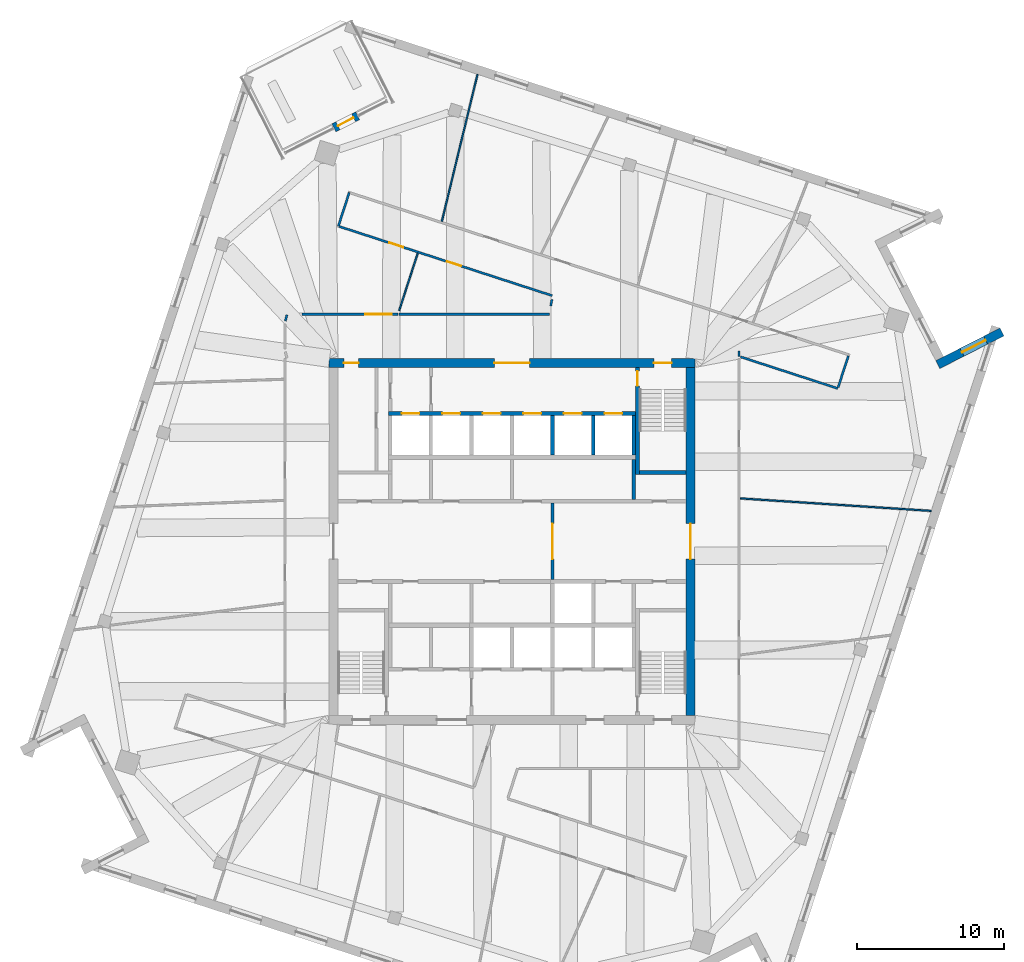
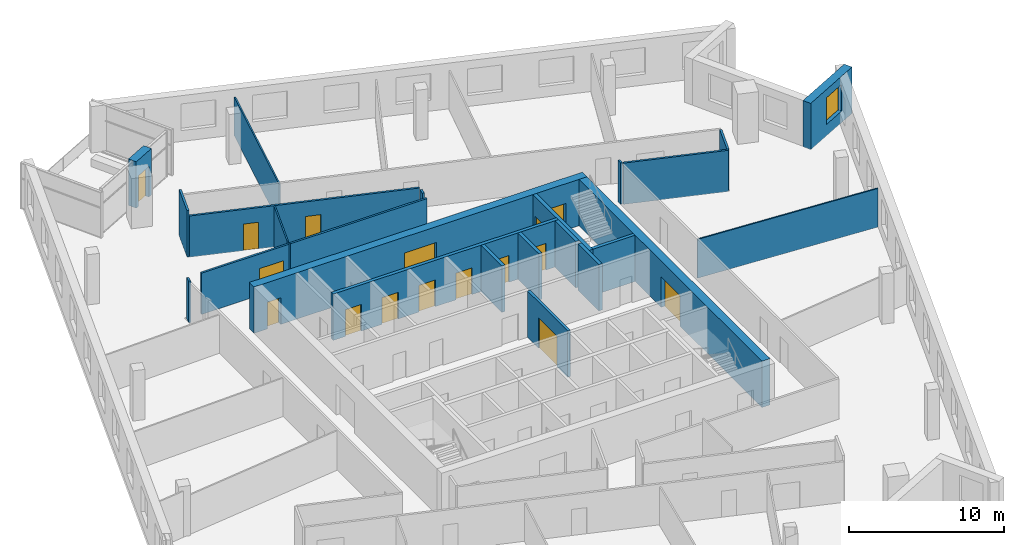
# One storey, part 10 of 13: 24 walls, 16 doors, 1 window, 17 openings.
"""IFC4 building model written with IfcOpenShell, lengths in metres."""

from ifc_helpers import new_model, si_unit, direction, frame, frame_2d, origin, place, context, subcontext, project, spatial, rectangle, extrude, material, layer, layer_set, type_object, element, fill, save


model = new_model("IFC4")

# Units and contexts
model_context = context("Model", 3, precision=1e-05, world=origin(), true_north=direction((0.0, 1.0)))
body_context = subcontext(model_context, "Body", "Model", "MODEL_VIEW")
ifc_project = project(units=[si_unit("LENGTHUNIT", "METRE"), si_unit("AREAUNIT", "SQUARE_METRE"), si_unit("VOLUMEUNIT", "CUBIC_METRE"), si_unit("PLANEANGLEUNIT", "RADIAN"), si_unit("MASSUNIT", "GRAM", prefix="KILO")], contexts=[model_context])

# Site, building, storey
site_placement = place(None, origin())
site = spatial("IfcSite", under=ifc_project, at=site_placement, CompositionType="ELEMENT")
building_placement = place(site_placement, origin())
building = spatial("IfcBuilding", under=site, at=building_placement, Name="Dilmun Exchange Tower", CompositionType="ELEMENT")
storey_placement = place(building_placement, frame((0.0, 0.0, 320.5)))
storey = spatial("IfcBuildingStorey", under=building, at=storey_placement, Name="L76", CompositionType="ELEMENT", Elevation=320.5)

# Wall, opening, door
ifc_material_1 = material(Name="Concrete C40/50", Category="concrete")
ifc_layer_1 = layer(ifc_material_1, 0.199951171875)
ifc_layer_set_1 = layer_set([ifc_layer_1], Name="Concrete C40/50")
wall_type_1 = type_object("IfcWallType", Name="Core partition wall 200", PredefinedType="PARTITIONING", material=ifc_layer_set_1)
wall_1_placement = place(storey_placement, frame((2.75, -2.594970703125, 0.0), z_axis=(0.0, 0.0, 1.0), x_axis=(0.0, 1.0, 0.0)))
wall_1 = element("IfcWall", 1, at=wall_1_placement, inside=storey, type_object=wall_type_1, Name="L76 core partition wall 12", PredefinedType="PARTITIONING", context=body_context, shape_type="SweptSolid", body=[
    extrude(rectangle(XDim=5.18994140625, YDim=0.199951171875, at=frame_2d((2.594970703125, 0.0))), origin(), (0.0, 0.0, 1.0), 3.64990234375),
])
opening_1_placement = place(wall_1_placement, frame((1.39501953125, 0.0, 0.0)))
opening_1 = element("IfcOpeningElement", 2, at=opening_1_placement, cuts=wall_1, Name="Opening CD1", PredefinedType="OPENING", context=body_context, shape_type="SweptSolid", body=[
    extrude(rectangle(XDim=2.39990234375, YDim=2.39990234375, at=frame_2d((1.199951171875, 1.199951171875))), frame((0.0, 0.10986328125, 0.0), z_axis=(0.0, -1.0, 0.0), x_axis=(1.0, 0.0, 0.0)), (0.0, 0.0, 1.0), 0.219970703125),
])
ifc_material_2 = material(Name="Fire-rated steel door set", Category="steel")
door_type_1 = type_object("IfcDoorType", Name="Core lobby door 2400x2400", OperationType="DOUBLE_DOOR_DOUBLE_SWING", PredefinedType="DOOR", material=ifc_material_2)
door_1_placement = place(opening_1_placement, origin())
door_1 = element("IfcDoor", 3, at=door_1_placement, inside=storey, type_object=door_type_1, Name="L76 door Lift lobby east", OperationType="SINGLE_SWING_LEFT", OverallHeight=2.39990234375, OverallWidth=2.39990234375, PredefinedType="DOOR", context=body_context, shape_type="SweptSolid", body=[
    extrude(rectangle(XDim=2.39990234375, YDim=2.39990234375, at=frame_2d((1.199951171875, 1.199951171875))), frame((0.0, 0.02490234375, 0.0), z_axis=(0.0, -1.0, 0.0), x_axis=(1.0, 0.0, 0.0)), (0.0, 0.0, 1.0), 0.050048828125),
])
fill(opening_1, door_1)

# Wall
ifc_layer_2 = layer(ifc_material_1, 0.25)
ifc_layer_set_2 = layer_set([ifc_layer_2], Name="Concrete C40/50")
wall_type_2 = type_object("IfcWallType", Name="Core partition wall 250", PredefinedType="PARTITIONING", material=ifc_layer_set_2)
wall_2_placement = place(storey_placement, frame((8.25, 2.85498046875, 0.0), z_axis=(0.0, 0.0, 1.0), x_axis=(0.0, 1.0, 0.0)))
element("IfcWall", 4, at=wall_2_placement, inside=storey, type_object=wall_type_2, Name="L76 core partition wall 17", PredefinedType="PARTITIONING", context=body_context, shape_type="SweptSolid", body=[
    extrude(rectangle(XDim=2.68994140625, YDim=0.25, at=frame_2d((1.344970703125, 0.0))), origin(), (0.0, 0.0, 1.0), 3.64990234375),
])

# Wall, openings, doors
ifc_material_3 = material(Name="Concrete C50/60", Category="concrete")
ifc_layer_3 = layer(ifc_material_3, 0.60009765625)
ifc_layer_set_3 = layer_set([ifc_layer_3], Name="Concrete C50/60")
wall_type_3 = type_object("IfcWallType", Name="Core shear wall 600 Concrete C50/60", PredefinedType="SHEAR", material=ifc_layer_set_3)
wall_3_placement = place(storey_placement, frame((-12.39990234375, 12.10009765625, 0.0), z_axis=(0.0, 0.0, 1.0), x_axis=(1.0, 0.0, 0.0)))
wall_3 = element("IfcWall", 5, at=wall_3_placement, inside=storey, type_object=wall_type_3, Name="L76 core shear wall N", PredefinedType="SHEAR", context=body_context, shape_type="SweptSolid", body=[
    extrude(rectangle(XDim=24.7998046875, YDim=0.60009765625, at=frame_2d((12.39990234375, 0.0))), origin(), (0.0, 0.0, 1.0), 3.64990234375),
])
opening_2_placement = place(wall_3_placement, frame((11.199951171875, 0.0, 0.0)))
opening_2 = element("IfcOpeningElement", 6, at=opening_2_placement, cuts=wall_3, Name="Opening CD1", PredefinedType="OPENING", context=body_context, shape_type="SweptSolid", body=[
    extrude(rectangle(XDim=2.39990234375, YDim=2.39990234375, at=frame_2d((1.199951171875, 1.199951171875))), frame((0.0, 0.31005859375, 0.0), z_axis=(0.0, -1.0, 0.0), x_axis=(1.0, 0.0, 0.0)), (0.0, 0.0, 1.0), 0.6201171875),
])
opening_3_placement = place(wall_3_placement, frame((22.02490234375, 0.0, 0.0)))
opening_3 = element("IfcOpeningElement", 7, at=opening_3_placement, cuts=wall_3, Name="Opening CD3", PredefinedType="OPENING", context=body_context, shape_type="SweptSolid", body=[
    extrude(rectangle(XDim=1.199951171875, YDim=2.10009765625, at=frame_2d((0.60009765625, 1.050048828125))), frame((0.0, 0.31005859375, 0.0), z_axis=(0.0, -1.0, 0.0), x_axis=(1.0, 0.0, 0.0)), (0.0, 0.0, 1.0), 0.6201171875),
])
opening_4_placement = place(wall_3_placement, frame((1.0, 0.0, 0.0)))
opening_4 = element("IfcOpeningElement", 8, at=opening_4_placement, cuts=wall_3, Name="Opening CD4", PredefinedType="OPENING", context=body_context, shape_type="SweptSolid", body=[
    extrude(rectangle(XDim=1.0, YDim=2.10009765625, at=frame_2d((0.5, 1.050048828125))), frame((0.0, 0.31005859375, 0.0), z_axis=(0.0, -1.0, 0.0), x_axis=(1.0, 0.0, 0.0)), (0.0, 0.0, 1.0), 0.6201171875),
])
door_2_placement = place(opening_2_placement, origin())
door_2 = element("IfcDoor", 9, at=door_2_placement, inside=storey, type_object=door_type_1, Name="L76 door North lift lobby", OperationType="SINGLE_SWING_LEFT", OverallHeight=2.39990234375, OverallWidth=2.39990234375, PredefinedType="DOOR", context=body_context, shape_type="SweptSolid", body=[
    extrude(rectangle(XDim=2.39990234375, YDim=2.39990234375, at=frame_2d((1.199951171875, 1.199951171875))), frame((0.0, 0.02490234375, 0.0), z_axis=(0.0, -1.0, 0.0), x_axis=(1.0, 0.0, 0.0)), (0.0, 0.0, 1.0), 0.050048828125),
])
fill(opening_2, door_2)
door_type_2 = type_object("IfcDoorType", Name="Core room door 1000x2100", OperationType="SINGLE_SWING_LEFT", PredefinedType="DOOR", material=ifc_material_2)
door_3_placement = place(opening_4_placement, origin())
door_3 = element("IfcDoor", 10, at=door_3_placement, inside=storey, type_object=door_type_2, Name="L76 door North-west core rooms", OperationType="SINGLE_SWING_LEFT", OverallHeight=2.10009765625, OverallWidth=1.0, PredefinedType="DOOR", context=body_context, shape_type="SweptSolid", body=[
    extrude(rectangle(XDim=1.0, YDim=2.10009765625, at=frame_2d((0.5, 1.050048828125))), frame((0.0, 0.02490234375, 0.0), z_axis=(0.0, -1.0, 0.0), x_axis=(1.0, 0.0, 0.0)), (0.0, 0.0, 1.0), 0.050048828125),
])
fill(opening_4, door_3)
door_type_3 = type_object("IfcDoorType", Name="Stair exit door 1200x2100", OperationType="SINGLE_SWING_LEFT", PredefinedType="DOOR", material=ifc_material_2)
door_4_placement = place(opening_3_placement, origin())
door_4 = element("IfcDoor", 11, at=door_4_placement, inside=storey, type_object=door_type_3, Name="L76 door Stair ST1", OperationType="SINGLE_SWING_LEFT", OverallHeight=2.10009765625, OverallWidth=1.199951171875, PredefinedType="DOOR", context=body_context, shape_type="SweptSolid", body=[
    extrude(rectangle(XDim=1.199951171875, YDim=2.10009765625, at=frame_2d((0.60009765625, 1.050048828125))), frame((0.0, 0.02490234375, 0.0), z_axis=(0.0, -1.0, 0.0), x_axis=(1.0, 0.0, 0.0)), (0.0, 0.0, 1.0), 0.050048828125),
])
fill(opening_3, door_4)

# Wall, opening, door
wall_4_placement = place(storey_placement, frame((12.10009765625, -11.800048828125, 0.0), z_axis=(0.0, 0.0, 1.0), x_axis=(0.0, 1.0, 0.0)))
wall_4 = element("IfcWall", 12, at=wall_4_placement, inside=storey, type_object=wall_type_3, Name="L76 core shear wall E", PredefinedType="SHEAR", context=body_context, shape_type="SweptSolid", body=[
    extrude(rectangle(XDim=23.60009765625, YDim=0.60009765625, at=frame_2d((11.800048828125, 0.0))), origin(), (0.0, 0.0, 1.0), 3.64990234375),
])
opening_5_placement = place(wall_4_placement, frame((10.60009765625, 0.0, 0.0)))
opening_5 = element("IfcOpeningElement", 13, at=opening_5_placement, cuts=wall_4, Name="Opening CD1", PredefinedType="OPENING", context=body_context, shape_type="SweptSolid", body=[
    extrude(rectangle(XDim=2.39990234375, YDim=2.39990234375, at=frame_2d((1.199951171875, 1.199951171875))), frame((0.0, 0.31005859375, 0.0), z_axis=(0.0, -1.0, 0.0), x_axis=(1.0, 0.0, 0.0)), (0.0, 0.0, 1.0), 0.6201171875),
])
door_5_placement = place(opening_5_placement, origin())
door_5 = element("IfcDoor", 14, at=door_5_placement, inside=storey, type_object=door_type_1, Name="L76 door Central lift lobby", OperationType="SINGLE_SWING_LEFT", OverallHeight=2.39990234375, OverallWidth=2.39990234375, PredefinedType="DOOR", context=body_context, shape_type="SweptSolid", body=[
    extrude(rectangle(XDim=2.39990234375, YDim=2.39990234375, at=frame_2d((1.199951171875, 1.199951171875))), frame((0.0, 0.02490234375, 0.0), z_axis=(0.0, -1.0, 0.0), x_axis=(1.0, 0.0, 0.0)), (0.0, 0.0, 1.0), 0.050048828125),
])
fill(opening_5, door_5)

# Wall
ifc_material_4 = material(Name="Corridor wall 150")
ifc_layer_4 = layer(ifc_material_4, 0.14990234375)
ifc_layer_set_4 = layer_set([ifc_layer_4], Name="Corridor wall 150")
wall_type_4 = type_object("IfcWallType", Name="Corridor wall 150", PredefinedType="PARTITIONING", material=ifc_layer_set_4)
wall_5_placement = place(storey_placement, frame((-15.263427734375, 15.359619140625, 0.0), z_axis=(0.0, 0.0, 1.0), x_axis=(-0.250064963452, -0.968229060736, 0.0)))
element("IfcWall", 15, at=wall_5_placement, inside=storey, type_object=wall_type_4, Name="Corridor wall", PredefinedType="PARTITIONING", context=body_context, shape_type="SweptSolid", body=[
    extrude(rectangle(XDim=0.4345703125, YDim=0.14990234375, at=frame_2d((0.21728515625, 0.0))), origin(), (0.0, 0.0, 1.0), 3.25),
])

# Wall, opening, door
wall_6_placement = place(storey_placement, frame((-14.250244140625, 15.39990234375, 0.0), z_axis=(0.0, 0.0, 1.0), x_axis=(1.0, 0.0, 0.0)))
wall_6 = element("IfcWall", 16, at=wall_6_placement, inside=storey, type_object=wall_type_4, Name="Corridor wall", PredefinedType="PARTITIONING", context=body_context, shape_type="SweptSolid", body=[
    extrude(rectangle(XDim=6.51513671875, YDim=0.14990234375, at=frame_2d((3.257568359375, 0.0))), origin(), (0.0, 0.0, 1.0), 3.25),
])
opening_6_placement = place(wall_6_placement, frame((4.300048828125, 0.0, 0.0)))
opening_6 = element("IfcOpeningElement", 17, at=opening_6_placement, cuts=wall_6, Name="Opening TF75-D06", PredefinedType="OPENING", context=body_context, shape_type="SweptSolid", body=[
    extrude(rectangle(XDim=1.800048828125, YDim=2.10009765625, at=frame_2d((0.89990234375, 1.050048828125))), frame((0.0, 0.0849609375, 0.0), z_axis=(0.0, -1.0, 0.0), x_axis=(1.0, 0.0, 0.0)), (0.0, 0.0, 1.0), 0.169921875),
])
ifc_material_5 = material(Name="Fire door pair 1800 x 2100")
door_type_4 = type_object("IfcDoorType", Name="Fire door pair 1800 x 2100", OperationType="NOTDEFINED", PredefinedType="DOOR", material=ifc_material_5)
door_6_placement = place(opening_6_placement, origin())
door_6 = element("IfcDoor", 18, at=door_6_placement, inside=storey, type_object=door_type_4, Name="Door TF75-D06", OperationType="DOUBLE_DOOR_SINGLE_SWING", OverallHeight=2.10009765625, OverallWidth=1.800048828125, PredefinedType="DOOR", context=body_context, shape_type="SweptSolid", body=[
    extrude(rectangle(XDim=1.800048828125, YDim=2.10009765625, at=frame_2d((0.89990234375, 1.050048828125))), frame((0.0, 0.02490234375, 0.0), z_axis=(0.0, -1.0, 0.0), x_axis=(1.0, 0.0, 0.0)), (0.0, 0.0, 1.0), 0.050048828125),
])
fill(opening_6, door_6)

# Wall
wall_7_placement = place(storey_placement, frame((-11.777099609375, 21.375, 0.0), z_axis=(0.0, 0.0, 1.0), x_axis=(0.309171157328, 0.951006411901, 0.0)))
element("IfcWall", 19, at=wall_7_placement, inside=storey, type_object=wall_type_4, Name="Corridor wall", PredefinedType="PARTITIONING", context=body_context, shape_type="SweptSolid", body=[
    extrude(rectangle(XDim=2.400634765625, YDim=0.14990234375, at=frame_2d((1.2001953125, 0.0))), origin(), (0.0, 0.0, 1.0), 3.64990234375),
])

# Wall, openings, doors
wall_8_placement = place(storey_placement, frame((-11.705810546875, 21.351806640625, 0.0), z_axis=(0.0, 0.0, 1.0), x_axis=(0.951071532065, -0.308970776767, 0.0)))
wall_8 = element("IfcWall", 20, at=wall_8_placement, inside=storey, type_object=wall_type_4, Name="Corridor wall", PredefinedType="PARTITIONING", context=body_context, shape_type="SweptSolid", body=[
    extrude(rectangle(XDim=15.178466796875, YDim=0.14990234375, at=frame_2d((7.58935546875, 0.0))), origin(), (0.0, 0.0, 1.0), 3.25),
])
opening_7_placement = place(wall_8_placement, frame((3.550048828125, 0.0, 0.0)))
opening_7 = element("IfcOpeningElement", 21, at=opening_7_placement, cuts=wall_8, Name="Opening TF75-D07", PredefinedType="OPENING", context=body_context, shape_type="SweptSolid", body=[
    extrude(rectangle(XDim=1.0, YDim=2.10009765625, at=frame_2d((0.5, 1.050048828125))), frame((0.0, 0.0849609375, 0.0), z_axis=(0.0, -1.0, 0.0), x_axis=(1.0, 0.0, 0.0)), (0.0, 0.0, 1.0), 0.169921875),
])
opening_8_placement = place(wall_8_placement, frame((7.665283203125, 0.0, 0.0)))
opening_8 = element("IfcOpeningElement", 22, at=opening_8_placement, cuts=wall_8, Name="Opening TF75-D10", PredefinedType="OPENING", context=body_context, shape_type="SweptSolid", body=[
    extrude(rectangle(XDim=1.0, YDim=2.10009765625, at=frame_2d((0.5, 1.050048828125))), frame((0.0, 0.0849609375, 0.0), z_axis=(0.0, -1.0, 0.0), x_axis=(1.0, 0.0, 0.0)), (0.0, 0.0, 1.0), 0.169921875),
])
ifc_material_6 = material(Name="Fire door 1000 x 2100")
door_type_5 = type_object("IfcDoorType", Name="Fire door 1000 x 2100", OperationType="NOTDEFINED", PredefinedType="DOOR", material=ifc_material_6)
door_7_placement = place(opening_7_placement, frame((1.0, 0.0, 0.0), z_axis=(0.0, 0.0, 1.0), x_axis=(-1.0, 0.0, 0.0)))
door_7 = element("IfcDoor", 23, at=door_7_placement, inside=storey, type_object=door_type_5, Name="Door TF75-D07", OperationType="SINGLE_SWING_RIGHT", OverallHeight=2.10009765625, OverallWidth=1.0, PredefinedType="DOOR", context=body_context, shape_type="SweptSolid", body=[
    extrude(rectangle(XDim=1.0, YDim=2.10009765625, at=frame_2d((0.5, 1.050048828125))), frame((0.0, 0.02490234375, 0.0), z_axis=(0.0, -1.0, 0.0), x_axis=(1.0, 0.0, 0.0)), (0.0, 0.0, 1.0), 0.050048828125),
])
fill(opening_7, door_7)
door_8_placement = place(opening_8_placement, frame((1.0, 0.0, 0.0), z_axis=(0.0, 0.0, 1.0), x_axis=(-1.0, 0.0, 0.0)))
door_8 = element("IfcDoor", 24, at=door_8_placement, inside=storey, type_object=door_type_5, Name="Door TF75-D10", OperationType="SINGLE_SWING_RIGHT", OverallHeight=2.10009765625, OverallWidth=1.0, PredefinedType="DOOR", context=body_context, shape_type="SweptSolid", body=[
    extrude(rectangle(XDim=1.0, YDim=2.10009765625, at=frame_2d((0.5, 1.050048828125))), frame((0.0, 0.02490234375, 0.0), z_axis=(0.0, -1.0, 0.0), x_axis=(1.0, 0.0, 0.0)), (0.0, 0.0, 1.0), 0.050048828125),
])
fill(opening_8, door_8)

# Walls
wall_9_placement = place(storey_placement, frame((-7.64990234375, 15.39990234375, 0.0), z_axis=(0.0, 0.0, 1.0), x_axis=(1.0, 0.0, 0.0)))
element("IfcWall", 25, at=wall_9_placement, inside=storey, type_object=wall_type_4, Name="Corridor wall", PredefinedType="PARTITIONING", context=body_context, shape_type="SweptSolid", body=[
    extrude(rectangle(XDim=10.179931640625, YDim=0.14990234375, at=frame_2d((5.08984375, 0.0))), origin(), (0.0, 0.0, 1.0), 3.25),
])
wall_10_placement = place(storey_placement, frame((2.70751953125, 16.400390625, 0.0), z_axis=(0.0, 0.0, 1.0), x_axis=(-0.193004252624, -0.981197920131, 0.0)))
element("IfcWall", 26, at=wall_10_placement, inside=storey, type_object=wall_type_4, Name="Corridor wall", PredefinedType="PARTITIONING", context=body_context, shape_type="SweptSolid", body=[
    extrude(rectangle(XDim=0.437744140625, YDim=0.14990234375, at=frame_2d((0.21875, 0.0))), origin(), (0.0, 0.0, 1.0), 3.25),
])
wall_11_placement = place(storey_placement, frame((15.4033203125, 12.89990234375, 0.0), z_axis=(0.0, 0.0, 1.0), x_axis=(-0.006877416439, -0.999976350292, 0.0)))
element("IfcWall", 27, at=wall_11_placement, inside=storey, type_object=wall_type_4, Name="Corridor wall", PredefinedType="PARTITIONING", context=body_context, shape_type="SweptSolid", body=[
    extrude(rectangle(XDim=0.35498046875, YDim=0.14990234375, at=frame_2d((0.177490234375, 0.0))), origin(), (0.0, 0.0, 1.0), 3.25),
])
wall_12_placement = place(storey_placement, frame((15.49853515625, 12.51318359375, 0.0), z_axis=(0.0, 0.0, 1.0), x_axis=(0.951067964753, -0.308981757424, 0.0)))
element("IfcWall", 28, at=wall_12_placement, inside=storey, type_object=wall_type_4, Name="Corridor wall", PredefinedType="PARTITIONING", context=body_context, shape_type="SweptSolid", body=[
    extrude(rectangle(XDim=6.9326171875, YDim=0.14990234375, at=frame_2d((3.46630859375, 0.0))), origin(), (0.0, 0.0, 1.0), 3.25),
])
wall_13_placement = place(storey_placement, frame((22.115234375, 10.4423828125, 0.0), z_axis=(0.0, 0.0, 1.0), x_axis=(0.309186681348, 0.951001364919, 0.0)))
element("IfcWall", 29, at=wall_13_placement, inside=storey, type_object=wall_type_4, Name="Corridor wall", PredefinedType="PARTITIONING", context=body_context, shape_type="SweptSolid", body=[
    extrude(rectangle(XDim=2.24951171875, YDim=0.14990234375, at=frame_2d((1.124755859375, 0.0))), origin(), (0.0, 0.0, 1.0), 3.25),
])

# Wall, openings, doors
ifc_layer_5 = layer(ifc_material_1, 0.25)
ifc_layer_set_5 = layer_set([ifc_layer_5], Name="Concrete C40/50")
wall_type_5 = type_object("IfcWallType", Name="Lift shaft wall 250", PredefinedType="SOLIDWALL", material=ifc_layer_set_5)
wall_14_placement = place(storey_placement, frame((-8.375, 8.675048828125, 0.0), z_axis=(0.0, 0.0, 1.0), x_axis=(1.0, 0.0, 0.0)))
wall_14 = element("IfcWall", 30, at=wall_14_placement, inside=storey, type_object=wall_type_5, Name="L76 lift shaft front wall N2", PredefinedType="SOLIDWALL", context=body_context, shape_type="SweptSolid", body=[
    extrude(rectangle(XDim=16.75, YDim=0.25, at=frame_2d((8.375, 0.0))), origin(), (0.0, 0.0, 1.0), 3.64990234375),
])
opening_9_placement = place(wall_14_placement, frame((0.89990234375, 0.0, 0.0)))
opening_9 = element("IfcOpeningElement", 31, at=opening_9_placement, cuts=wall_14, Name="Opening LD", PredefinedType="OPENING", context=body_context, shape_type="SweptSolid", body=[
    extrude(rectangle(XDim=1.199951171875, YDim=2.10009765625, at=frame_2d((0.60009765625, 1.050048828125))), frame((0.0, 0.135009765625, 0.0), z_axis=(0.0, -1.0, 0.0), x_axis=(1.0, 0.0, 0.0)), (0.0, 0.0, 1.0), 0.27001953125),
])
opening_10_placement = place(wall_14_placement, frame((3.64990234375, 0.0, 0.0)))
opening_10 = element("IfcOpeningElement", 32, at=opening_10_placement, cuts=wall_14, Name="Opening LD", PredefinedType="OPENING", context=body_context, shape_type="SweptSolid", body=[
    extrude(rectangle(XDim=1.199951171875, YDim=2.10009765625, at=frame_2d((0.60009765625, 1.050048828125))), frame((0.0, 0.135009765625, 0.0), z_axis=(0.0, -1.0, 0.0), x_axis=(1.0, 0.0, 0.0)), (0.0, 0.0, 1.0), 0.27001953125),
])
opening_11_placement = place(wall_14_placement, frame((6.39990234375, 0.0, 0.0)))
opening_11 = element("IfcOpeningElement", 33, at=opening_11_placement, cuts=wall_14, Name="Opening LD", PredefinedType="OPENING", context=body_context, shape_type="SweptSolid", body=[
    extrude(rectangle(XDim=1.199951171875, YDim=2.10009765625, at=frame_2d((0.60009765625, 1.050048828125))), frame((0.0, 0.135009765625, 0.0), z_axis=(0.0, -1.0, 0.0), x_axis=(1.0, 0.0, 0.0)), (0.0, 0.0, 1.0), 0.27001953125),
])
opening_12_placement = place(wall_14_placement, frame((9.14990234375, 0.0, 0.0)))
opening_12 = element("IfcOpeningElement", 34, at=opening_12_placement, cuts=wall_14, Name="Opening LD", PredefinedType="OPENING", context=body_context, shape_type="SweptSolid", body=[
    extrude(rectangle(XDim=1.199951171875, YDim=2.10009765625, at=frame_2d((0.60009765625, 1.050048828125))), frame((0.0, 0.135009765625, 0.0), z_axis=(0.0, -1.0, 0.0), x_axis=(1.0, 0.0, 0.0)), (0.0, 0.0, 1.0), 0.27001953125),
])
opening_13_placement = place(wall_14_placement, frame((11.89990234375, 0.0, 0.0)))
opening_13 = element("IfcOpeningElement", 35, at=opening_13_placement, cuts=wall_14, Name="Opening LD", PredefinedType="OPENING", context=body_context, shape_type="SweptSolid", body=[
    extrude(rectangle(XDim=1.199951171875, YDim=2.10009765625, at=frame_2d((0.60009765625, 1.050048828125))), frame((0.0, 0.135009765625, 0.0), z_axis=(0.0, -1.0, 0.0), x_axis=(1.0, 0.0, 0.0)), (0.0, 0.0, 1.0), 0.27001953125),
])
opening_14_placement = place(wall_14_placement, frame((14.64990234375, 0.0, 0.0)))
opening_14 = element("IfcOpeningElement", 36, at=opening_14_placement, cuts=wall_14, Name="Opening LD", PredefinedType="OPENING", context=body_context, shape_type="SweptSolid", body=[
    extrude(rectangle(XDim=1.199951171875, YDim=2.10009765625, at=frame_2d((0.60009765625, 1.050048828125))), frame((0.0, 0.135009765625, 0.0), z_axis=(0.0, -1.0, 0.0), x_axis=(1.0, 0.0, 0.0)), (0.0, 0.0, 1.0), 0.27001953125),
])
door_type_6 = type_object("IfcDoorType", Name="Lift landing door 1200x2100", OperationType="DOUBLE_DOOR_SLIDING", PredefinedType="DOOR", material=ifc_material_2)
door_9_placement = place(opening_9_placement, origin())
door_9 = element("IfcDoor", 37, at=door_9_placement, inside=storey, type_object=door_type_6, Name="L76 landing door HR1", OperationType="DOUBLE_DOOR_SLIDING", OverallHeight=2.10009765625, OverallWidth=1.199951171875, PredefinedType="DOOR", context=body_context, shape_type="SweptSolid", body=[
    extrude(rectangle(XDim=1.199951171875, YDim=2.10009765625, at=frame_2d((0.60009765625, 1.050048828125))), frame((0.0, 0.02490234375, 0.0), z_axis=(0.0, -1.0, 0.0), x_axis=(1.0, 0.0, 0.0)), (0.0, 0.0, 1.0), 0.050048828125),
])
fill(opening_9, door_9)
door_10_placement = place(opening_10_placement, origin())
door_10 = element("IfcDoor", 38, at=door_10_placement, inside=storey, type_object=door_type_6, Name="L76 landing door HR2", OperationType="DOUBLE_DOOR_SLIDING", OverallHeight=2.10009765625, OverallWidth=1.199951171875, PredefinedType="DOOR", context=body_context, shape_type="SweptSolid", body=[
    extrude(rectangle(XDim=1.199951171875, YDim=2.10009765625, at=frame_2d((0.60009765625, 1.050048828125))), frame((0.0, 0.02490234375, 0.0), z_axis=(0.0, -1.0, 0.0), x_axis=(1.0, 0.0, 0.0)), (0.0, 0.0, 1.0), 0.050048828125),
])
fill(opening_10, door_10)
door_11_placement = place(opening_11_placement, origin())
door_11 = element("IfcDoor", 39, at=door_11_placement, inside=storey, type_object=door_type_6, Name="L76 landing door HR3", OperationType="DOUBLE_DOOR_SLIDING", OverallHeight=2.10009765625, OverallWidth=1.199951171875, PredefinedType="DOOR", context=body_context, shape_type="SweptSolid", body=[
    extrude(rectangle(XDim=1.199951171875, YDim=2.10009765625, at=frame_2d((0.60009765625, 1.050048828125))), frame((0.0, 0.02490234375, 0.0), z_axis=(0.0, -1.0, 0.0), x_axis=(1.0, 0.0, 0.0)), (0.0, 0.0, 1.0), 0.050048828125),
])
fill(opening_11, door_11)
door_12_placement = place(opening_12_placement, origin())
door_12 = element("IfcDoor", 40, at=door_12_placement, inside=storey, type_object=door_type_6, Name="L76 landing door HR4", OperationType="DOUBLE_DOOR_SLIDING", OverallHeight=2.10009765625, OverallWidth=1.199951171875, PredefinedType="DOOR", context=body_context, shape_type="SweptSolid", body=[
    extrude(rectangle(XDim=1.199951171875, YDim=2.10009765625, at=frame_2d((0.60009765625, 1.050048828125))), frame((0.0, 0.02490234375, 0.0), z_axis=(0.0, -1.0, 0.0), x_axis=(1.0, 0.0, 0.0)), (0.0, 0.0, 1.0), 0.050048828125),
])
fill(opening_12, door_12)
door_13_placement = place(opening_13_placement, origin())
door_13 = element("IfcDoor", 41, at=door_13_placement, inside=storey, type_object=door_type_6, Name="L76 landing door HR5", OperationType="DOUBLE_DOOR_SLIDING", OverallHeight=2.10009765625, OverallWidth=1.199951171875, PredefinedType="DOOR", context=body_context, shape_type="SweptSolid", body=[
    extrude(rectangle(XDim=1.199951171875, YDim=2.10009765625, at=frame_2d((0.60009765625, 1.050048828125))), frame((0.0, 0.02490234375, 0.0), z_axis=(0.0, -1.0, 0.0), x_axis=(1.0, 0.0, 0.0)), (0.0, 0.0, 1.0), 0.050048828125),
])
fill(opening_13, door_13)
door_14_placement = place(opening_14_placement, origin())
door_14 = element("IfcDoor", 42, at=door_14_placement, inside=storey, type_object=door_type_6, Name="L76 landing door HR6", OperationType="DOUBLE_DOOR_SLIDING", OverallHeight=2.10009765625, OverallWidth=1.199951171875, PredefinedType="DOOR", context=body_context, shape_type="SweptSolid", body=[
    extrude(rectangle(XDim=1.199951171875, YDim=2.10009765625, at=frame_2d((0.60009765625, 1.050048828125))), frame((0.0, 0.02490234375, 0.0), z_axis=(0.0, -1.0, 0.0), x_axis=(1.0, 0.0, 0.0)), (0.0, 0.0, 1.0), 0.050048828125),
])
fill(opening_14, door_14)

# Walls
for number, where, z_axis, x_axis, name in (
    (43, (2.75, 5.85009765625, 0.0), (0.0, 0.0, 1.0), (0.0, 1.0, 0.0), "L76 lift shaft divider N24"),
    (44, (5.5, 5.85009765625, 0.0), (0.0, 0.0, 1.0), (0.0, 1.0, 0.0), "L76 lift shaft divider N25"),
    (45, (8.25, 5.85009765625, 0.0), (0.0, 0.0, 1.0), (0.0, 1.0, 0.0), "L76 lift shaft divider N26"),
):
    element("IfcWall", number, at=place(storey_placement, frame(where, z_axis=z_axis, x_axis=x_axis)), inside=storey, type_object=wall_type_5, Name=name, PredefinedType="SOLIDWALL", context=body_context, shape_type="SweptSolid", body=[
        extrude(rectangle(XDim=2.699951171875, YDim=0.25, at=frame_2d((1.35009765625, 0.0))), origin(), (0.0, 0.0, 1.0), 3.64990234375),
    ])
ifc_material_7 = material(Name="Partition 100")
ifc_layer_6 = layer(ifc_material_7, 0.10009765625)
ifc_layer_set_6 = layer_set([ifc_layer_6], Name="Partition 100")
wall_type_6 = type_object("IfcWallType", Name="Partition 100", PredefinedType="PARTITIONING", material=ifc_layer_set_6)
wall_15_placement = place(storey_placement, frame((-7.64990234375, 15.662109375, 0.0), z_axis=(0.0, 0.0, 1.0), x_axis=(0.308990083735, 0.951065259671, 0.0)))
element("IfcWall", 46, at=wall_15_placement, inside=storey, type_object=wall_type_6, Name="Partition", PredefinedType="PARTITIONING", context=body_context, shape_type="SweptSolid", body=[
    extrude(rectangle(XDim=4.083251953125, YDim=0.10009765625, at=frame_2d((2.04150390625, 0.0))), origin(), (0.0, 0.0, 1.0), 3.25),
])
wall_16_placement = place(storey_placement, frame((-4.75732421875, 21.70068359375, 0.0), z_axis=(0.0, 0.0, 1.0), x_axis=(0.235614328577, 0.971846638194, 0.0)))
element("IfcWall", 47, at=wall_16_placement, inside=storey, type_object=wall_type_6, Name="Partition", PredefinedType="PARTITIONING", context=body_context, shape_type="SweptSolid", body=[
    extrude(rectangle(XDim=10.25927734375, YDim=0.10009765625, at=frame_2d((5.129638671875, 0.0))), origin(), (0.0, 0.0, 1.0), 3.050048828125),
])
wall_17_placement = place(storey_placement, frame((15.478271484375, 2.916015625, 0.0), z_axis=(0.0, 0.0, 1.0), x_axis=(0.99786091406, -0.065372748079, 0.0)))
element("IfcWall", 48, at=wall_17_placement, inside=storey, type_object=wall_type_6, Name="Partition", PredefinedType="PARTITIONING", context=body_context, shape_type="SweptSolid", body=[
    extrude(rectangle(XDim=12.977783203125, YDim=0.10009765625, at=frame_2d((6.48876953125, 0.0))), origin(), (0.0, 0.0, 1.0), 3.050048828125),
])

# Wall, opening, window
ifc_material_8 = material(Name="Precast concrete C50/60", Category="concrete")
ifc_layer_7 = layer(ifc_material_8, 0.60009765625)
ifc_layer_set_7 = layer_set([ifc_layer_7], Name="Precast concrete C50/60")
wall_type_7 = type_object("IfcWallType", Name="Precast stone-clad wall 600", PredefinedType="STANDARD", material=ifc_layer_set_7)
wall_18_placement = place(storey_placement, frame((33.227783203125, 14.20458984375, 0.0), z_axis=(0.0, 0.0, 1.0), x_axis=(-0.891013179829, -0.453977437073, 0.0)))
wall_18 = element("IfcWall", 49, at=wall_18_placement, inside=storey, type_object=wall_type_7, Name="Facade wall L76-12", PredefinedType="STANDARD", context=body_context, shape_type="SweptSolid", body=[
    extrude(rectangle(XDim=4.88525390625, YDim=0.60009765625, at=frame_2d((2.442626953125, 0.0))), origin(), (0.0, 0.0, 1.0), 3.64990234375),
])
opening_15_placement = place(wall_18_placement, frame((1.242919921875, 0.0, 0.89990234375)))
opening_15 = element("IfcOpeningElement", 50, at=opening_15_placement, cuts=wall_18, Name="Opening W180-210", PredefinedType="OPENING", context=body_context, shape_type="SweptSolid", body=[
    extrude(rectangle(XDim=1.800048828125, YDim=2.10009765625, at=frame_2d((0.89990234375, 1.050048828125))), frame((0.0, 0.31005859375, 0.0), z_axis=(0.0, -1.0, 0.0), x_axis=(1.0, 0.0, 0.0)), (0.0, 0.0, 1.0), 0.6201171875),
])
ifc_material_9 = material(Name="Clear low-emissivity glass in aluminium frame", Category="aluminium")
window_type = type_object("IfcWindowType", Name="Punched window 1800 x 2100", PartitioningType="DOUBLE_PANEL_VERTICAL", PredefinedType="WINDOW", material=ifc_material_9)
window_placement = place(opening_15_placement, origin())
window = element("IfcWindow", 51, at=window_placement, inside=storey, type_object=window_type, Name="Window 13.1", OverallHeight=2.10009765625, OverallWidth=1.800048828125, PartitioningType="SINGLE_PANEL", PredefinedType="WINDOW", context=body_context, shape_type="SweptSolid", body=[
    extrude(rectangle(XDim=1.800048828125, YDim=2.10009765625, at=frame_2d((0.89990234375, 1.050048828125))), frame((0.0, 0.030029296875, 0.0), z_axis=(0.0, -1.0, 0.0), x_axis=(1.0, 0.0, 0.0)), (0.0, 0.0, 1.0), 0.06005859375),
])
fill(opening_15, window)

# Wall, opening, door
wall_19_placement = place(storey_placement, frame((-10.47265625, 28.860595703125, 0.0), z_axis=(0.0, 0.0, 1.0), x_axis=(-0.891010511763, -0.453982673599, 0.0)))
wall_19 = element("IfcWall", 52, at=wall_19_placement, inside=storey, type_object=wall_type_7, Name="Facade wall L76-01-D", PredefinedType="STANDARD", context=body_context, shape_type="SweptSolid", body=[
    extrude(rectangle(XDim=1.800048828125, YDim=0.60009765625, at=frame_2d((0.89990234375, 0.0))), origin(), (0.0, 0.0, 1.0), 3.64990234375),
])
opening_16_placement = place(wall_19_placement, frame((0.300048828125, 0.0, 0.0)))
opening_16 = element("IfcOpeningElement", 53, at=opening_16_placement, cuts=wall_19, Name="Opening GD-1", PredefinedType="OPENING", context=body_context, shape_type="SweptSolid", body=[
    extrude(rectangle(XDim=1.199951171875, YDim=2.39990234375, at=frame_2d((0.60009765625, 1.199951171875))), frame((0.0, 0.31005859375, 0.0), z_axis=(0.0, -1.0, 0.0), x_axis=(1.0, 0.0, 0.0)), (0.0, 0.0, 1.0), 0.6201171875),
])
door_type_7 = type_object("IfcDoorType", Name="Glazed garden door 1200 x 2400", OperationType="SINGLE_SWING_LEFT", PredefinedType="DOOR", material=ifc_material_9)
door_15_placement = place(opening_16_placement, origin())
door_15 = element("IfcDoor", 54, at=door_15_placement, inside=storey, type_object=door_type_7, Name="Garden terrace door", OperationType="SINGLE_SWING_LEFT", OverallHeight=2.39990234375, OverallWidth=1.199951171875, PredefinedType="DOOR", context=body_context, shape_type="SweptSolid", body=[
    extrude(rectangle(XDim=1.199951171875, YDim=2.39990234375, at=frame_2d((0.60009765625, 1.199951171875))), frame((0.0, 0.02490234375, 0.0), z_axis=(0.0, -1.0, 0.0), x_axis=(1.0, 0.0, 0.0)), (0.0, 0.0, 1.0), 0.050048828125),
])
fill(opening_16, door_15)

# Wall
ifc_layer_8 = layer(ifc_material_1, 0.25)
ifc_layer_set_8 = layer_set([ifc_layer_8], Name="Concrete C40/50")
wall_type_8 = type_object("IfcWallType", Name="Stair end wall 250", PredefinedType="SOLIDWALL", material=ifc_layer_set_8)
wall_20_placement = place(storey_placement, frame((8.64990234375, 4.675048828125, 0.0), z_axis=(0.0, 0.0, 1.0), x_axis=(1.0, 0.0, 0.0)))
element("IfcWall", 55, at=wall_20_placement, inside=storey, type_object=wall_type_8, Name="L76 ST1 far wall", PredefinedType="SOLIDWALL", context=body_context, shape_type="SweptSolid", body=[
    extrude(rectangle(XDim=3.150146484375, YDim=0.25, at=frame_2d((1.5751953125, 0.0))), origin(), (0.0, 0.0, 1.0), 3.64990234375),
])

# Wall, opening, door
ifc_layer_9 = layer(ifc_material_1, 0.27490234375)
ifc_layer_set_9 = layer_set([ifc_layer_9], Name="Concrete C40/50")
wall_type_9 = type_object("IfcWallType", Name="Stair wall 275", PredefinedType="SOLIDWALL", material=ifc_layer_set_9)
wall_21_placement = place(storey_placement, frame((8.512451171875, 4.550048828125, 0.0), z_axis=(0.0, 0.0, 1.0), x_axis=(0.0, 1.0, 0.0)))
wall_21 = element("IfcWall", 56, at=wall_21_placement, inside=storey, type_object=wall_type_9, Name="L76 ST1 wall to lift block", PredefinedType="SOLIDWALL", context=body_context, shape_type="SweptSolid", body=[
    extrude(rectangle(XDim=7.25, YDim=0.27490234375, at=frame_2d((3.625, 0.0))), origin(), (0.0, 0.0, 1.0), 3.64990234375),
])
opening_17_placement = place(wall_21_placement, frame((6.0, 0.0, 0.0)))
opening_17 = element("IfcOpeningElement", 57, at=opening_17_placement, cuts=wall_21, Name="Opening CD4", PredefinedType="OPENING", context=body_context, shape_type="SweptSolid", body=[
    extrude(rectangle(XDim=1.0, YDim=2.10009765625, at=frame_2d((0.5, 1.050048828125))), frame((0.0, 0.1474609375, 0.0), z_axis=(0.0, -1.0, 0.0), x_axis=(1.0, 0.0, 0.0)), (0.0, 0.0, 1.0), 0.294921875),
])
door_16_placement = place(opening_17_placement, origin())
door_16 = element("IfcDoor", 58, at=door_16_placement, inside=storey, type_object=door_type_2, Name="L76 door ST1 from lobby", OperationType="SINGLE_SWING_LEFT", OverallHeight=2.10009765625, OverallWidth=1.0, PredefinedType="DOOR", context=body_context, shape_type="SweptSolid", body=[
    extrude(rectangle(XDim=1.0, YDim=2.10009765625, at=frame_2d((0.5, 1.050048828125))), frame((0.0, 0.02490234375, 0.0), z_axis=(0.0, -1.0, 0.0), x_axis=(1.0, 0.0, 0.0)), (0.0, 0.0, 1.0), 0.050048828125),
])
fill(opening_17, door_16)

save(model, "model.ifc")
